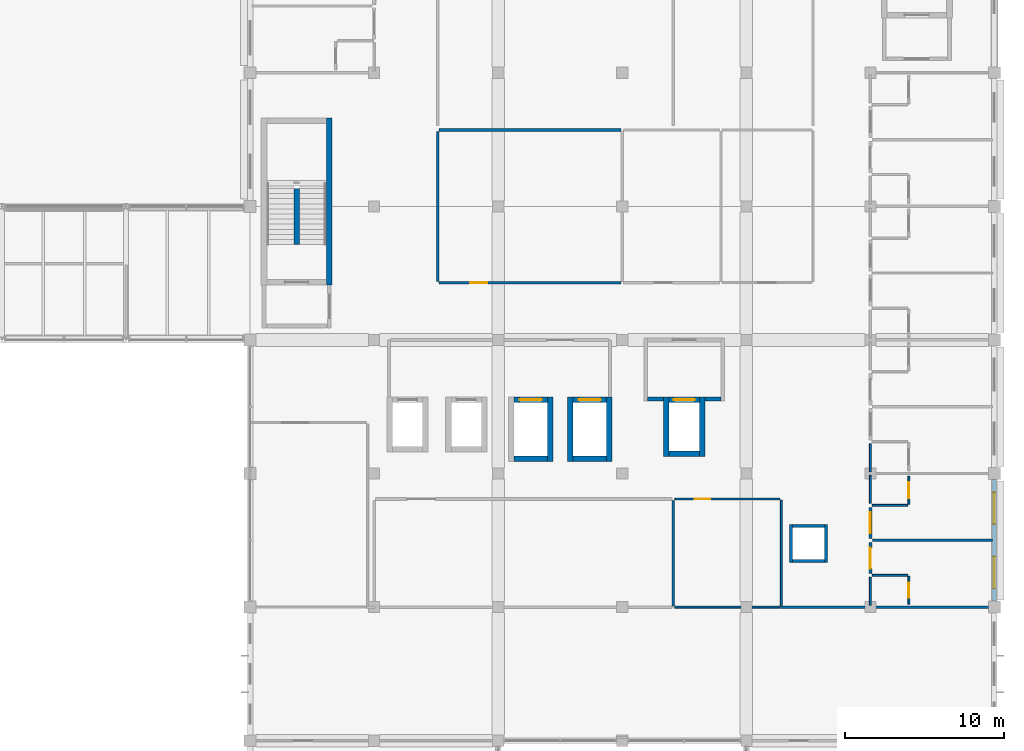
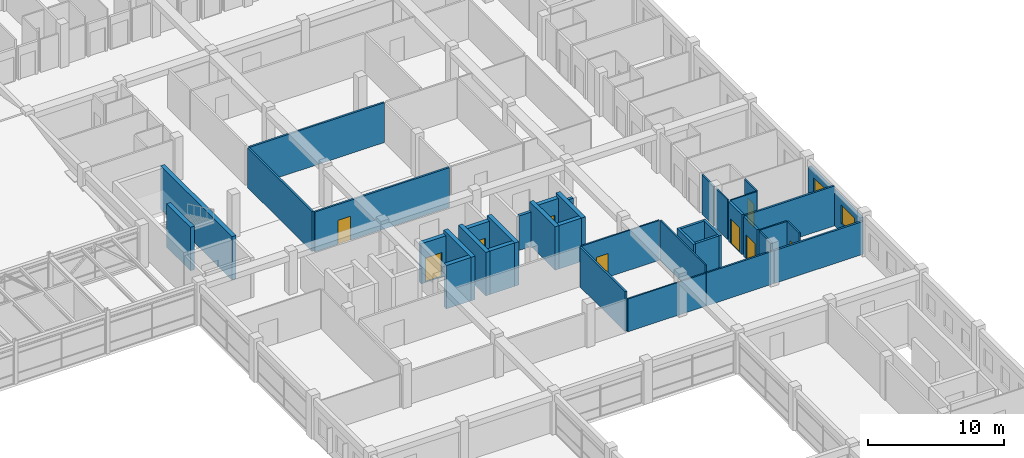
# One storey, part 54 of 72: 39 walls, 9 doors, 2 windows, 11 openings.
"""IFC4 building model written with IfcOpenShell, lengths in metres."""

from ifc_helpers import new_model, si_unit, direction, frame, frame_2d, origin, place, context, subcontext, project, spatial, rectangle, extrude, material, layer, layer_set, type_object, element, fill, save


model = new_model("IFC4")

# Units and contexts
model_context = context("Model", 3, precision=1e-05, world=origin(), true_north=direction((0.0, 1.0)))
body_context = subcontext(model_context, "Body", "Model", "MODEL_VIEW")
ifc_project = project(units=[si_unit("LENGTHUNIT", "METRE"), si_unit("AREAUNIT", "SQUARE_METRE"), si_unit("VOLUMEUNIT", "CUBIC_METRE"), si_unit("PLANEANGLEUNIT", "RADIAN"), si_unit("MASSUNIT", "GRAM", prefix="KILO"), si_unit("THERMODYNAMICTEMPERATUREUNIT", "KELVIN"), si_unit("POWERUNIT", "WATT")], contexts=[model_context])

# Site, building, storey
site_placement = place(None, origin())
site = spatial("IfcSite", under=ifc_project, at=site_placement, CompositionType="ELEMENT")
building_placement = place(site_placement, origin())
building = spatial("IfcBuilding", under=site, at=building_placement, Name="Srebrne Nadtorze General Hospital", CompositionType="ELEMENT")
storey_placement = place(building_placement, frame((0.0, 0.0, 22.199951171875)))
storey = spatial("IfcBuildingStorey", under=building, at=storey_placement, Name="L05", CompositionType="ELEMENT", Elevation=22.199951171875)

# Walls
ifc_material_1 = material(Name="Gypsum Healthcare Partition")
ifc_layer_1 = layer(ifc_material_1, 0.139892578125)
ifc_layer_set_1 = layer_set([ifc_layer_1], Name="Gypsum Healthcare Partition")
wall_type_1 = type_object("IfcWallType", Name="Clinical partition 140", PredefinedType="PARTITIONING", material=ifc_layer_set_1)
wall_1_placement = place(storey_placement, frame((134.7548828125, 33.60009765625, 0.0), z_axis=(0.0, 0.0, 1.0), x_axis=(1.0, 0.0, 0.0)))
element("IfcWall", 1, at=wall_1_placement, inside=storey, type_object=wall_type_1, Name="Outpatient Gastroenterology Procedure Unit wall WL-INT-L05-2173", PredefinedType="PARTITIONING", context=body_context, shape_type="SweptSolid", body=[
    extrude(rectangle(XDim=5.72509765625, YDim=0.139892578125, at=frame_2d((2.862548828125, 0.0))), origin(), (0.0, 0.0, 1.0), 2.949951171875),
])
ifc_material_2 = material(Name="Gypsum Healthcare Partition")
ifc_layer_2 = layer(ifc_material_2, 0.159912109375)
ifc_layer_set_2 = layer_set([ifc_layer_2], Name="Gypsum Healthcare Partition")
wall_type_2 = type_object("IfcWallType", Name="Clinical partition 160", PredefinedType="PARTITIONING", material=ifc_layer_set_2)
wall_2_placement = place(storey_placement, frame((140.52001953125, 33.60009765625, 0.0), z_axis=(0.0, 0.0, 1.0), x_axis=(1.0, 0.0, 0.0)))
element("IfcWall", 2, at=wall_2_placement, inside=storey, type_object=wall_type_2, Name="Ward inter-room partition WL-INT-L05-2054", PredefinedType="PARTITIONING", context=body_context, shape_type="SweptSolid", body=[
    extrude(rectangle(XDim=7.56005859375, YDim=0.159912109375, at=frame_2d((3.780029296875, 0.0))), origin(), (0.0, 0.0, 1.0), 2.949951171875),
])
wall_3_placement = place(storey_placement, frame((140.52001953125, 37.800048828125, 0.0), z_axis=(0.0, 0.0, 1.0), x_axis=(1.0, 0.0, 0.0)))
element("IfcWall", 3, at=wall_3_placement, inside=storey, type_object=wall_type_2, Name="Ward inter-room partition WL-INT-L05-2055", PredefinedType="PARTITIONING", context=body_context, shape_type="SweptSolid", body=[
    extrude(rectangle(XDim=7.56005859375, YDim=0.159912109375, at=frame_2d((3.780029296875, 0.0))), origin(), (0.0, 0.0, 1.0), 3.580078125),
])

# Wall, opening, door
wall_4_placement = place(storey_placement, frame((113.284912109375, 54.0, 0.0), z_axis=(0.0, 0.0, 1.0), x_axis=(1.0, 0.0, 0.0)))
wall_4 = element("IfcWall", 4, at=wall_4_placement, inside=storey, type_object=wall_type_2, Name="Nursing Station wall WL-INT-L05-2127", PredefinedType="PARTITIONING", context=body_context, shape_type="SweptSolid", body=[
    extrude(rectangle(XDim=11.43017578125, YDim=0.159912109375, at=frame_2d((5.715087890625, 0.0))), origin(), (0.0, 0.0, 1.0), 3.580078125),
])
opening_1_placement = place(wall_4_placement, frame((1.953369140625, 0.0, 0.0)))
opening_1 = element("IfcOpeningElement", 5, at=opening_1_placement, cuts=wall_4, Name="Opening D-L05-0453", PredefinedType="OPENING", context=body_context, shape_type="SweptSolid", body=[
    extrude(rectangle(XDim=1.080078125, YDim=2.14990234375, at=frame_2d((0.5400390625, 1.074951171875))), frame((0.0, 0.091796875, 0.0), z_axis=(0.0, -1.0, 0.0), x_axis=(1.0, 0.0, 0.0)), (0.0, 0.0, 1.0), 0.183837890625),
])
ifc_material_3 = material(Name="Anodised Aluminium", Category="aluminium")
door_type_1 = type_object("IfcDoorType", Name="Single leaf door 1080x2150", OperationType="NOTDEFINED", PredefinedType="DOOR", material=ifc_material_3)
door_1_placement = place(opening_1_placement, origin())
door_1 = element("IfcDoor", 6, at=door_1_placement, inside=storey, type_object=door_type_1, Name="Nursing Station door D-L05-0453", OperationType="SINGLE_SWING_LEFT", OverallHeight=2.14990234375, OverallWidth=1.080078125, PredefinedType="DOOR", context=body_context, shape_type="SweptSolid", body=[
    extrude(rectangle(XDim=1.080078125, YDim=2.14990234375, at=frame_2d((0.5400390625, 1.074951171875))), frame((0.0, 0.02490234375, 0.0), z_axis=(0.0, -1.0, 0.0), x_axis=(1.0, 0.0, 0.0)), (0.0, 0.0, 1.0), 0.050048828125),
])
fill(opening_1, door_1)

# Walls
wall_5_placement = place(storey_placement, frame((113.284912109375, 63.60009765625, 0.0), z_axis=(0.0, 0.0, 1.0), x_axis=(1.0, 0.0, 0.0)))
element("IfcWall", 7, at=wall_5_placement, inside=storey, type_object=wall_type_2, Name="Nursing Station wall WL-INT-L05-2128", PredefinedType="PARTITIONING", context=body_context, shape_type="SweptSolid", body=[
    extrude(rectangle(XDim=11.43017578125, YDim=0.159912109375, at=frame_2d((5.715087890625, 0.0))), origin(), (0.0, 0.0, 1.0), 3.580078125),
])
wall_6_placement = place(storey_placement, frame((113.199951171875, 54.0849609375, 0.0), z_axis=(0.0, 0.0, 1.0), x_axis=(0.0, 1.0, 0.0)))
element("IfcWall", 8, at=wall_6_placement, inside=storey, type_object=wall_type_2, Name="Nursing Station wall WL-INT-L05-2129", PredefinedType="PARTITIONING", context=body_context, shape_type="SweptSolid", body=[
    extrude(rectangle(XDim=9.429931640625, YDim=0.159912109375, at=frame_2d((4.71484375, 0.0))), origin(), (0.0, 0.0, 1.0), 3.580078125),
])
wall_7_placement = place(storey_placement, frame((128.0, 33.68505859375, 0.0), z_axis=(0.0, 0.0, 1.0), x_axis=(0.0, 1.0, 0.0)))
element("IfcWall", 9, at=wall_7_placement, inside=storey, type_object=wall_type_2, Name="Inpatient Family Consultation Room wall WL-INT-L05-2149", PredefinedType="PARTITIONING", context=body_context, shape_type="SweptSolid", body=[
    extrude(rectangle(XDim=6.6298828125, YDim=0.159912109375, at=frame_2d((3.31494140625, 0.0))), origin(), (0.0, 0.0, 1.0), 3.580078125),
])
ifc_material_4 = material(Name="Gypsum Healthcare Partition")
ifc_layer_3 = layer(ifc_material_4, 0.199951171875)
ifc_layer_set_3 = layer_set([ifc_layer_3], Name="Gypsum Healthcare Partition")
wall_type_3 = type_object("IfcWallType", Name="Compartment wall 200", PredefinedType="STANDARD", material=ifc_layer_set_3)
for number, where, z_axis, x_axis, name in (
    (10, (135.39990234375, 36.39990234375, 0.0), (0.0, 0.0, 1.0), (0.0, 1.0, 0.0), "MEP riser wall WL-INT-L05-1113"),
    (11, (137.60009765625, 36.39990234375, 0.0), (0.0, 0.0, 1.0), (0.0, 1.0, 0.0), "MEP riser wall WL-INT-L05-1114"),
):
    element("IfcWall", number, at=place(storey_placement, frame(where, z_axis=z_axis, x_axis=x_axis)), inside=storey, type_object=wall_type_3, Name=name, PredefinedType="STANDARD", context=body_context, shape_type="SweptSolid", body=[
        extrude(rectangle(XDim=2.400146484375, YDim=0.199951171875, at=frame_2d((1.2001953125, 0.0))), origin(), (0.0, 0.0, 1.0), 3.60009765625),
    ])
for number, where, z_axis, x_axis, name in (
    (12, (135.5, 36.5, 0.0), (0.0, 0.0, 1.0), (1.0, 0.0, 0.0), "MEP riser wall WL-INT-L05-1115"),
    (13, (135.5, 38.699951171875, 0.0), (0.0, 0.0, 1.0), (1.0, 0.0, 0.0), "MEP riser wall WL-INT-L05-1116"),
):
    element("IfcWall", number, at=place(storey_placement, frame(where, z_axis=z_axis, x_axis=x_axis)), inside=storey, type_object=wall_type_3, Name=name, PredefinedType="STANDARD", context=body_context, shape_type="SweptSolid", body=[
        extrude(rectangle(XDim=2.0, YDim=0.199951171875, at=frame_2d((1.0, 0.0))), origin(), (0.0, 0.0, 1.0), 3.60009765625),
    ])

# Wall, opening, door
wall_8_placement = place(storey_placement, frame((140.39990234375, 35.719970703125, 0.0), z_axis=(0.0, 0.0, 1.0), x_axis=(0.0, 1.0, 0.0)))
wall_8 = element("IfcWall", 14, at=wall_8_placement, inside=storey, type_object=wall_type_3, Name="Ward corridor wall WL-INT-L05-2056", PredefinedType="STANDARD", context=body_context, shape_type="SweptSolid", body=[
    extrude(rectangle(XDim=1.9599609375, YDim=0.199951171875, at=frame_2d((0.97998046875, 0.0))), origin(), (0.0, 0.0, 1.0), 3.580078125),
])
opening_2_placement = place(wall_8_placement, frame((0.304931640625, 0.0, 0.0)))
opening_2 = element("IfcOpeningElement", 15, at=opening_2_placement, cuts=wall_8, Name="Opening D-L05-0426", PredefinedType="OPENING", context=body_context, shape_type="SweptSolid", body=[
    extrude(rectangle(XDim=1.300048828125, YDim=2.14990234375, at=frame_2d((0.64990234375, 1.074951171875))), frame((0.0, 0.11181640625, 0.0), z_axis=(0.0, -1.0, 0.0), x_axis=(1.0, 0.0, 0.0)), (0.0, 0.0, 1.0), 0.223876953125),
])
ifc_material_5 = material(Name="Anodised Aluminium", Category="aluminium")
door_type_2 = type_object("IfcDoorType", Name="Single leaf door 1300x2150", OperationType="NOTDEFINED", PredefinedType="DOOR", material=ifc_material_5)
door_2_placement = place(opening_2_placement, frame((1.300048828125, 0.0, 0.0), z_axis=(0.0, 0.0, 1.0), x_axis=(-1.0, 0.0, 0.0)))
door_2 = element("IfcDoor", 16, at=door_2_placement, inside=storey, type_object=door_type_2, Name="Ward patient room door D-L05-0426", OperationType="SINGLE_SWING_RIGHT", OverallHeight=2.14990234375, OverallWidth=1.300048828125, PredefinedType="DOOR", context=body_context, shape_type="SweptSolid", body=[
    extrude(rectangle(XDim=1.300048828125, YDim=2.14990234375, at=frame_2d((0.64990234375, 1.074951171875))), frame((0.0, 0.02490234375, 0.0), z_axis=(0.0, -1.0, 0.0), x_axis=(1.0, 0.0, 0.0)), (0.0, 0.0, 1.0), 0.050048828125),
])
fill(opening_2, door_2)

wall_9_placement = place(storey_placement, frame((140.39990234375, 37.919921875, 0.0), z_axis=(0.0, 0.0, 1.0), x_axis=(0.0, 1.0, 0.0)))
wall_9 = element("IfcWall", 17, at=wall_9_placement, inside=storey, type_object=wall_type_3, Name="Ward corridor wall WL-INT-L05-2061", PredefinedType="STANDARD", context=body_context, shape_type="SweptSolid", body=[
    extrude(rectangle(XDim=1.9599609375, YDim=0.199951171875, at=frame_2d((0.97998046875, 0.0))), origin(), (0.0, 0.0, 1.0), 3.580078125),
])
opening_3_placement = place(wall_9_placement, frame((0.340087890625, 0.0, 0.0)))
opening_3 = element("IfcOpeningElement", 18, at=opening_3_placement, cuts=wall_9, Name="Opening D-L05-0428", PredefinedType="OPENING", context=body_context, shape_type="SweptSolid", body=[
    extrude(rectangle(XDim=1.320068359375, YDim=2.199951171875, at=frame_2d((0.66015625, 1.10009765625))), frame((0.0, 0.11181640625, 0.0), z_axis=(0.0, -1.0, 0.0), x_axis=(1.0, 0.0, 0.0)), (0.0, 0.0, 1.0), 0.223876953125),
])
ifc_material_6 = material(Name="Anodised Aluminium", Category="aluminium")
door_type_3 = type_object("IfcDoorType", Name="Single leaf door 1320x2200", OperationType="NOTDEFINED", PredefinedType="DOOR", material=ifc_material_6)
door_3_placement = place(opening_3_placement, frame((1.320068359375, 0.0, 0.0), z_axis=(0.0, 0.0, 1.0), x_axis=(-1.0, 0.0, 0.0)))
door_3 = element("IfcDoor", 19, at=door_3_placement, inside=storey, type_object=door_type_3, Name="Ward patient room door D-L05-0428", OperationType="SINGLE_SWING_RIGHT", OverallHeight=2.199951171875, OverallWidth=1.320068359375, PredefinedType="DOOR", context=body_context, shape_type="SweptSolid", body=[
    extrude(rectangle(XDim=1.320068359375, YDim=2.199951171875, at=frame_2d((0.66015625, 1.10009765625))), frame((0.0, 0.02490234375, 0.0), z_axis=(0.0, -1.0, 0.0), x_axis=(1.0, 0.0, 0.0)), (0.0, 0.0, 1.0), 0.050048828125),
])
fill(opening_3, door_3)

# Walls
ifc_material_7 = material(Name="Gypsum Healthcare Partition")
ifc_layer_4 = layer(ifc_material_7, 0.239990234375)
ifc_layer_set_4 = layer_set([ifc_layer_4], Name="Gypsum Healthcare Partition")
wall_type_4 = type_object("IfcWallType", Name="Corridor fire wall 240", PredefinedType="STANDARD", material=ifc_layer_set_4)
for number, where, z_axis, x_axis, name in (
    (20, (126.39990234375, 46.68994140625, 0.0), (0.0, 0.0, 1.0), (1.0, 0.0, 0.0), "FF lift lobby return wall WL-INT-L05-1103"),
    (21, (130.0, 46.68994140625, 0.0), (0.0, 0.0, 1.0), (1.0, 0.0, 0.0), "FF lift lobby return wall WL-INT-L05-1104"),
):
    element("IfcWall", number, at=place(storey_placement, frame(where, z_axis=z_axis, x_axis=x_axis)), inside=storey, type_object=wall_type_4, Name=name, PredefinedType="STANDARD", context=body_context, shape_type="SweptSolid", body=[
        extrude(rectangle(XDim=1.0, YDim=0.239990234375, at=frame_2d((0.5, 0.0))), origin(), (0.0, 0.0, 1.0), 3.10009765625),
    ])
ifc_material_8 = material(Name="Gypsum Healthcare Partition")
ifc_layer_5 = layer(ifc_material_8, 0.1201171875)
ifc_layer_set_5 = layer_set([ifc_layer_5], Name="Gypsum Healthcare Partition")
wall_type_5 = type_object("IfcWallType", Name="En-suite partition 120", PredefinedType="PARTITIONING", material=ifc_layer_set_5)
wall_10_placement = place(storey_placement, frame((140.39990234375, 33.719970703125, 0.0), z_axis=(0.0, 0.0, 1.0), x_axis=(0.0, 1.0, 0.0)))
element("IfcWall", 22, at=wall_10_placement, inside=storey, type_object=wall_type_5, Name="En-suite corridor wall WL-INT-L05-2057", PredefinedType="PARTITIONING", context=body_context, shape_type="SweptSolid", body=[
    extrude(rectangle(XDim=1.760009765625, YDim=0.1201171875, at=frame_2d((0.8798828125, 0.0))), origin(), (0.0, 0.0, 1.0), 3.580078125),
])
wall_11_placement = place(storey_placement, frame((140.52001953125, 35.60009765625, 0.0), z_axis=(0.0, 0.0, 1.0), x_axis=(1.0, 0.0, 0.0)))
element("IfcWall", 23, at=wall_11_placement, inside=storey, type_object=wall_type_5, Name="En-suite wet wall WL-INT-L05-2058", PredefinedType="PARTITIONING", context=body_context, shape_type="SweptSolid", body=[
    extrude(rectangle(XDim=2.239990234375, YDim=0.1201171875, at=frame_2d((1.1201171875, 0.0))), origin(), (0.0, 0.0, 1.0), 3.580078125),
])

# Wall, opening, door
wall_12_placement = place(storey_placement, frame((142.820068359375, 33.780029296875, 0.0), z_axis=(0.0, 0.0, 1.0), x_axis=(0.0, 1.0, 0.0)))
wall_12 = element("IfcWall", 24, at=wall_12_placement, inside=storey, type_object=wall_type_5, Name="En-suite wet wall WL-INT-L05-2059", PredefinedType="PARTITIONING", context=body_context, shape_type="SweptSolid", body=[
    extrude(rectangle(XDim=1.760009765625, YDim=0.1201171875, at=frame_2d((0.8798828125, 0.0))), origin(), (0.0, 0.0, 1.0), 3.580078125),
])
opening_4_placement = place(wall_12_placement, frame((0.405029296875, 0.0, 0.0)))
opening_4 = element("IfcOpeningElement", 25, at=opening_4_placement, cuts=wall_12, Name="Opening D-L05-0427", PredefinedType="OPENING", context=body_context, shape_type="SweptSolid", body=[
    extrude(rectangle(XDim=0.949951171875, YDim=2.10009765625, at=frame_2d((0.47509765625, 1.050048828125))), frame((0.0, 0.072021484375, 0.0), z_axis=(0.0, -1.0, 0.0), x_axis=(1.0, 0.0, 0.0)), (0.0, 0.0, 1.0), 0.14404296875),
])
ifc_material_9 = material(Name="Anodised Aluminium", Category="aluminium")
door_type_4 = type_object("IfcDoorType", Name="Single leaf door 950x2100", OperationType="NOTDEFINED", PredefinedType="DOOR", material=ifc_material_9)
door_4_placement = place(opening_4_placement, origin())
door_4 = element("IfcDoor", 26, at=door_4_placement, inside=storey, type_object=door_type_4, Name="En-suite bathroom door D-L05-0427", OperationType="SINGLE_SWING_LEFT", OverallHeight=2.10009765625, OverallWidth=0.949951171875, PredefinedType="DOOR", context=body_context, shape_type="SweptSolid", body=[
    extrude(rectangle(XDim=0.949951171875, YDim=2.10009765625, at=frame_2d((0.47509765625, 1.050048828125))), frame((0.0, 0.02490234375, 0.0), z_axis=(0.0, -1.0, 0.0), x_axis=(1.0, 0.0, 0.0)), (0.0, 0.0, 1.0), 0.050048828125),
])
fill(opening_4, door_4)

# Walls
wall_13_placement = place(storey_placement, frame((140.39990234375, 40.1201171875, 0.0), z_axis=(0.0, 0.0, 1.0), x_axis=(0.0, 1.0, 0.0)))
element("IfcWall", 27, at=wall_13_placement, inside=storey, type_object=wall_type_5, Name="En-suite corridor wall WL-INT-L05-2062", PredefinedType="PARTITIONING", context=body_context, shape_type="SweptSolid", body=[
    extrude(rectangle(XDim=1.759765625, YDim=0.1201171875, at=frame_2d((0.8798828125, 0.0))), origin(), (0.0, 0.0, 1.0), 3.580078125),
])
wall_14_placement = place(storey_placement, frame((140.52001953125, 40.0, 0.0), z_axis=(0.0, 0.0, 1.0), x_axis=(1.0, 0.0, 0.0)))
element("IfcWall", 28, at=wall_14_placement, inside=storey, type_object=wall_type_5, Name="En-suite wet wall WL-INT-L05-2063", PredefinedType="PARTITIONING", context=body_context, shape_type="SweptSolid", body=[
    extrude(rectangle(XDim=2.239990234375, YDim=0.1201171875, at=frame_2d((1.1201171875, 0.0))), origin(), (0.0, 0.0, 1.0), 3.580078125),
])

# Wall, opening, door
wall_15_placement = place(storey_placement, frame((142.820068359375, 40.06005859375, 0.0), z_axis=(0.0, 0.0, 1.0), x_axis=(0.0, 1.0, 0.0)))
wall_15 = element("IfcWall", 29, at=wall_15_placement, inside=storey, type_object=wall_type_5, Name="En-suite wet wall WL-INT-L05-2064", PredefinedType="PARTITIONING", context=body_context, shape_type="SweptSolid", body=[
    extrude(rectangle(XDim=1.760009765625, YDim=0.1201171875, at=frame_2d((0.8798828125, 0.0))), origin(), (0.0, 0.0, 1.0), 3.580078125),
])
opening_5_placement = place(wall_15_placement, frame((0.3798828125, 0.0, 0.0)))
opening_5 = element("IfcOpeningElement", 30, at=opening_5_placement, cuts=wall_15, Name="Opening D-L05-0429", PredefinedType="OPENING", context=body_context, shape_type="SweptSolid", body=[
    extrude(rectangle(XDim=1.0, YDim=2.10009765625, at=frame_2d((0.5, 1.050048828125))), frame((0.0, 0.072021484375, 0.0), z_axis=(0.0, -1.0, 0.0), x_axis=(1.0, 0.0, 0.0)), (0.0, 0.0, 1.0), 0.14404296875),
])
ifc_material_10 = material(Name="Anodised Aluminium", Category="aluminium")
door_type_5 = type_object("IfcDoorType", Name="Single leaf door 1000x2100", OperationType="NOTDEFINED", PredefinedType="DOOR", material=ifc_material_10)
door_5_placement = place(opening_5_placement, origin())
door_5 = element("IfcDoor", 31, at=door_5_placement, inside=storey, type_object=door_type_5, Name="En-suite bathroom door D-L05-0429", OperationType="SINGLE_SWING_LEFT", OverallHeight=2.10009765625, OverallWidth=1.0, PredefinedType="DOOR", context=body_context, shape_type="SweptSolid", body=[
    extrude(rectangle(XDim=1.0, YDim=2.10009765625, at=frame_2d((0.5, 1.050048828125))), frame((0.0, 0.02490234375, 0.0), z_axis=(0.0, -1.0, 0.0), x_axis=(1.0, 0.0, 0.0)), (0.0, 0.0, 1.0), 0.050048828125),
])
fill(opening_5, door_5)

# Wall
wall_16_placement = place(storey_placement, frame((140.39990234375, 42.1201171875, 0.0), z_axis=(0.0, 0.0, 1.0), x_axis=(0.0, 1.0, 0.0)))
element("IfcWall", 32, at=wall_16_placement, inside=storey, type_object=wall_type_5, Name="En-suite corridor wall WL-INT-L05-2067", PredefinedType="PARTITIONING", context=body_context, shape_type="SweptSolid", body=[
    extrude(rectangle(XDim=1.759765625, YDim=0.1201171875, at=frame_2d((0.8798828125, 0.0))), origin(), (0.0, 0.0, 1.0), 3.580078125),
])

# Wall, opening, door
wall_17_placement = place(storey_placement, frame((128.0849609375, 40.39990234375, 0.0), z_axis=(0.0, 0.0, 1.0), x_axis=(1.0, 0.0, 0.0)))
wall_17 = element("IfcWall", 33, at=wall_17_placement, inside=storey, type_object=wall_type_5, Name="Accessible WC wall WL-INT-L05-2153", PredefinedType="PARTITIONING", context=body_context, shape_type="SweptSolid", body=[
    extrude(rectangle(XDim=6.630126953125, YDim=0.1201171875, at=frame_2d((3.31494140625, 0.0))), origin(), (0.0, 0.0, 1.0), 3.580078125),
])
opening_6_placement = place(wall_17_placement, frame((1.283935546875, 0.0, 0.0)))
opening_6 = element("IfcOpeningElement", 34, at=opening_6_placement, cuts=wall_17, Name="Opening D-L05-0461", PredefinedType="OPENING", context=body_context, shape_type="SweptSolid", body=[
    extrude(rectangle(XDim=0.9599609375, YDim=2.1201171875, at=frame_2d((0.47998046875, 1.06005859375))), frame((0.0, 0.072021484375, 0.0), z_axis=(0.0, -1.0, 0.0), x_axis=(1.0, 0.0, 0.0)), (0.0, 0.0, 1.0), 0.14404296875),
])
ifc_material_11 = material(Name="Anodised Aluminium", Category="aluminium")
door_type_6 = type_object("IfcDoorType", Name="Single leaf door 960x2120", OperationType="NOTDEFINED", PredefinedType="DOOR", material=ifc_material_11)
door_6_placement = place(opening_6_placement, frame((0.9599609375, 0.0, 0.0), z_axis=(0.0, 0.0, 1.0), x_axis=(-1.0, 0.0, 0.0)))
door_6 = element("IfcDoor", 35, at=door_6_placement, inside=storey, type_object=door_type_6, Name="Accessible WC door D-L05-0461", OperationType="SINGLE_SWING_RIGHT", OverallHeight=2.1201171875, OverallWidth=0.9599609375, PredefinedType="DOOR", context=body_context, shape_type="SweptSolid", body=[
    extrude(rectangle(XDim=0.9599609375, YDim=2.1201171875, at=frame_2d((0.47998046875, 1.06005859375))), frame((0.0, 0.02490234375, 0.0), z_axis=(0.0, -1.0, 0.0), x_axis=(1.0, 0.0, 0.0)), (0.0, 0.0, 1.0), 0.050048828125),
])
fill(opening_6, door_6)

# Walls
wall_18_placement = place(storey_placement, frame((128.0849609375, 33.60009765625, 0.0), z_axis=(0.0, 0.0, 1.0), x_axis=(1.0, 0.0, 0.0)))
element("IfcWall", 36, at=wall_18_placement, inside=storey, type_object=wall_type_5, Name="Accessible WC wall WL-INT-L05-2154", PredefinedType="PARTITIONING", context=body_context, shape_type="SweptSolid", body=[
    extrude(rectangle(XDim=6.630126953125, YDim=0.1201171875, at=frame_2d((3.31494140625, 0.0))), origin(), (0.0, 0.0, 1.0), 2.949951171875),
])
wall_19_placement = place(storey_placement, frame((134.800048828125, 33.68505859375, 0.0), z_axis=(0.0, 0.0, 1.0), x_axis=(0.0, 1.0, 0.0)))
element("IfcWall", 37, at=wall_19_placement, inside=storey, type_object=wall_type_5, Name="Accessible WC wall WL-INT-L05-2155", PredefinedType="PARTITIONING", context=body_context, shape_type="SweptSolid", body=[
    extrude(rectangle(XDim=6.6298828125, YDim=0.1201171875, at=frame_2d((3.31494140625, 0.0))), origin(), (0.0, 0.0, 1.0), 3.580078125),
])
ifc_material_12 = material(Name="Concrete C40/50", Category="concrete")
ifc_layer_6 = layer(ifc_material_12, 0.35009765625)
ifc_layer_set_6 = layer_set([ifc_layer_6], Name="Concrete C40/50")
wall_type_6 = type_object("IfcWallType", Name="Shear core wall 350", PredefinedType="SHEAR", material=ifc_layer_set_6)
wall_20_placement = place(storey_placement, frame((106.375, 53.85009765625, 0.0), z_axis=(0.0, 0.0, 1.0), x_axis=(0.0, 1.0, 0.0)))
element("IfcWall", 38, at=wall_20_placement, inside=storey, type_object=wall_type_6, Name="Stair core wall ST-03 WL-INT-L05-0354", PredefinedType="SHEAR", context=body_context, shape_type="SweptSolid", body=[
    extrude(rectangle(XDim=10.5, YDim=0.35009765625, at=frame_2d((5.25, 0.0))), origin(), (0.0, 0.0, 1.0), 3.900146484375),
])
wall_21_placement = place(storey_placement, frame((104.324951171875, 56.39990234375, 0.0), z_axis=(0.0, 0.0, 1.0), x_axis=(0.0, 1.0, 0.0)))
element("IfcWall", 39, at=wall_21_placement, inside=storey, type_object=wall_type_6, Name="Stair spine wall ST-03 WL-INT-L05-0360", PredefinedType="SHEAR", context=body_context, shape_type="SweptSolid", body=[
    extrude(rectangle(XDim=3.52001953125, YDim=0.35009765625, at=frame_2d((1.760009765625, 0.0))), origin(), (0.0, 0.0, 1.0), 3.900146484375),
])
wall_22_placement = place(storey_placement, frame((120.27490234375, 42.760009765625, 0.0), z_axis=(0.0, 0.0, 1.0), x_axis=(0.0, 1.0, 0.0)))
element("IfcWall", 40, at=wall_22_placement, inside=storey, type_object=wall_type_6, Name="Lift shaft wall LS-03 WL-INT-L05-0787", PredefinedType="SHEAR", context=body_context, shape_type="SweptSolid", body=[
    extrude(rectangle(XDim=4.050048828125, YDim=0.35009765625, at=frame_2d((2.02490234375, 0.0))), origin(), (0.0, 0.0, 1.0), 3.900146484375),
])
wall_23_placement = place(storey_placement, frame((118.0, 42.93505859375, 0.0), z_axis=(0.0, 0.0, 1.0), x_axis=(1.0, 0.0, 0.0)))
element("IfcWall", 41, at=wall_23_placement, inside=storey, type_object=wall_type_6, Name="Lift shaft back wall LS-03 WL-INT-L05-0788", PredefinedType="SHEAR", context=body_context, shape_type="SweptSolid", body=[
    extrude(rectangle(XDim=2.10009765625, YDim=0.35009765625, at=frame_2d((1.050048828125, 0.0))), origin(), (0.0, 0.0, 1.0), 3.900146484375),
])

# Wall, opening, door
wall_24_placement = place(storey_placement, frame((118.0, 46.635009765625, 0.0), z_axis=(0.0, 0.0, 1.0), x_axis=(1.0, 0.0, 0.0)))
wall_24 = element("IfcWall", 42, at=wall_24_placement, inside=storey, type_object=wall_type_6, Name="Lift shaft front wall LS-03 WL-INT-L05-0789", PredefinedType="SHEAR", context=body_context, shape_type="SweptSolid", body=[
    extrude(rectangle(XDim=2.10009765625, YDim=0.35009765625, at=frame_2d((1.050048828125, 0.0))), origin(), (0.0, 0.0, 1.0), 3.60009765625),
])
opening_7_placement = place(wall_24_placement, frame((0.35009765625, 0.0, 0.0)))
opening_7 = element("IfcOpeningElement", 43, at=opening_7_placement, cuts=wall_24, Name="Opening LD-L05-081", PredefinedType="OPENING", context=body_context, shape_type="SweptSolid", body=[
    extrude(rectangle(XDim=1.39990234375, YDim=2.199951171875, at=frame_2d((0.699951171875, 1.10009765625))), frame((0.0, 0.18701171875, 0.0), z_axis=(0.0, -1.0, 0.0), x_axis=(1.0, 0.0, 0.0)), (0.0, 0.0, 1.0), 0.3740234375),
])
ifc_material_13 = material(Name="Anodised Aluminium", Category="aluminium")
door_type_7 = type_object("IfcDoorType", Name="Sliding lift door 1400x2200", OperationType="SLIDING_TO_LEFT", PredefinedType="DOOR", material=ifc_material_13)
door_7_placement = place(opening_7_placement, origin())
door_7 = element("IfcDoor", 44, at=door_7_placement, inside=storey, type_object=door_type_7, Name="Lift Landing Door LD-L05-081", OperationType="SLIDING_TO_LEFT", OverallHeight=2.199951171875, OverallWidth=1.39990234375, PredefinedType="DOOR", context=body_context, shape_type="SweptSolid", body=[
    extrude(rectangle(XDim=1.39990234375, YDim=2.199951171875, at=frame_2d((0.699951171875, 1.10009765625))), frame((0.0, 0.02490234375, 0.0), z_axis=(0.0, -1.0, 0.0), x_axis=(1.0, 0.0, 0.0)), (0.0, 0.0, 1.0), 0.050048828125),
])
fill(opening_7, door_7)

# Walls
for number, where, z_axis, x_axis, name in (
    (45, (121.52490234375, 42.760009765625, 0.0), (0.0, 0.0, 1.0), (0.0, 1.0, 0.0), "Lift shaft wall LS-04 WL-INT-L05-0822"),
    (46, (123.97509765625, 42.760009765625, 0.0), (0.0, 0.0, 1.0), (0.0, 1.0, 0.0), "Lift shaft wall LS-04 WL-INT-L05-0823"),
):
    element("IfcWall", number, at=place(storey_placement, frame(where, z_axis=z_axis, x_axis=x_axis)), inside=storey, type_object=wall_type_6, Name=name, PredefinedType="SHEAR", context=body_context, shape_type="SweptSolid", body=[
        extrude(rectangle(XDim=4.050048828125, YDim=0.35009765625, at=frame_2d((2.02490234375, 0.0))), origin(), (0.0, 0.0, 1.0), 3.900146484375),
    ])
wall_25_placement = place(storey_placement, frame((121.699951171875, 42.93505859375, 0.0), z_axis=(0.0, 0.0, 1.0), x_axis=(1.0, 0.0, 0.0)))
element("IfcWall", 47, at=wall_25_placement, inside=storey, type_object=wall_type_6, Name="Lift shaft back wall LS-04 WL-INT-L05-0824", PredefinedType="SHEAR", context=body_context, shape_type="SweptSolid", body=[
    extrude(rectangle(XDim=2.10009765625, YDim=0.35009765625, at=frame_2d((1.050048828125, 0.0))), origin(), (0.0, 0.0, 1.0), 3.900146484375),
])

# Wall, opening, door
wall_26_placement = place(storey_placement, frame((121.699951171875, 46.635009765625, 0.0), z_axis=(0.0, 0.0, 1.0), x_axis=(1.0, 0.0, 0.0)))
wall_26 = element("IfcWall", 48, at=wall_26_placement, inside=storey, type_object=wall_type_6, Name="Lift shaft front wall LS-04 WL-INT-L05-0825", PredefinedType="SHEAR", context=body_context, shape_type="SweptSolid", body=[
    extrude(rectangle(XDim=2.10009765625, YDim=0.35009765625, at=frame_2d((1.050048828125, 0.0))), origin(), (0.0, 0.0, 1.0), 3.60009765625),
])
opening_8_placement = place(wall_26_placement, frame((0.35009765625, 0.0, 0.0)))
opening_8 = element("IfcOpeningElement", 49, at=opening_8_placement, cuts=wall_26, Name="Opening LD-L05-090", PredefinedType="OPENING", context=body_context, shape_type="SweptSolid", body=[
    extrude(rectangle(XDim=1.39990234375, YDim=2.199951171875, at=frame_2d((0.699951171875, 1.10009765625))), frame((0.0, 0.18701171875, 0.0), z_axis=(0.0, -1.0, 0.0), x_axis=(1.0, 0.0, 0.0)), (0.0, 0.0, 1.0), 0.3740234375),
])
door_8_placement = place(opening_8_placement, origin())
door_8 = element("IfcDoor", 50, at=door_8_placement, inside=storey, type_object=door_type_7, Name="Lift Landing Door LD-L05-090", OperationType="SLIDING_TO_LEFT", OverallHeight=2.199951171875, OverallWidth=1.39990234375, PredefinedType="DOOR", context=body_context, shape_type="SweptSolid", body=[
    extrude(rectangle(XDim=1.39990234375, YDim=2.199951171875, at=frame_2d((0.699951171875, 1.10009765625))), frame((0.0, 0.02490234375, 0.0), z_axis=(0.0, -1.0, 0.0), x_axis=(1.0, 0.0, 0.0)), (0.0, 0.0, 1.0), 0.050048828125),
])
fill(opening_8, door_8)

# Walls
for number, where, z_axis, x_axis, name in (
    (51, (127.574951171875, 43.06005859375, 0.0), (0.0, 0.0, 1.0), (0.0, 1.0, 0.0), "Lift shaft wall FL-03 WL-INT-L05-0858"),
    (52, (129.824951171875, 43.06005859375, 0.0), (0.0, 0.0, 1.0), (0.0, 1.0, 0.0), "Lift shaft wall FL-03 WL-INT-L05-0859"),
):
    element("IfcWall", number, at=place(storey_placement, frame(where, z_axis=z_axis, x_axis=x_axis)), inside=storey, type_object=wall_type_6, Name=name, PredefinedType="SHEAR", context=body_context, shape_type="SweptSolid", body=[
        extrude(rectangle(XDim=3.75, YDim=0.35009765625, at=frame_2d((1.875, 0.0))), origin(), (0.0, 0.0, 1.0), 3.900146484375),
    ])
wall_27_placement = place(storey_placement, frame((127.75, 43.235107421875, 0.0), z_axis=(0.0, 0.0, 1.0), x_axis=(1.0, 0.0, 0.0)))
element("IfcWall", 53, at=wall_27_placement, inside=storey, type_object=wall_type_6, Name="Lift shaft back wall FL-03 WL-INT-L05-0860", PredefinedType="SHEAR", context=body_context, shape_type="SweptSolid", body=[
    extrude(rectangle(XDim=1.89990234375, YDim=0.35009765625, at=frame_2d((0.949951171875, 0.0))), origin(), (0.0, 0.0, 1.0), 3.900146484375),
])

# Wall, opening, door
wall_28_placement = place(storey_placement, frame((127.75, 46.635009765625, 0.0), z_axis=(0.0, 0.0, 1.0), x_axis=(1.0, 0.0, 0.0)))
wall_28 = element("IfcWall", 54, at=wall_28_placement, inside=storey, type_object=wall_type_6, Name="Lift shaft front wall FL-03 WL-INT-L05-0861", PredefinedType="SHEAR", context=body_context, shape_type="SweptSolid", body=[
    extrude(rectangle(XDim=1.89990234375, YDim=0.35009765625, at=frame_2d((0.949951171875, 0.0))), origin(), (0.0, 0.0, 1.0), 3.60009765625),
])
opening_9_placement = place(wall_28_placement, frame((0.300048828125, 0.0, 0.0)))
opening_9 = element("IfcOpeningElement", 55, at=opening_9_placement, cuts=wall_28, Name="Opening LD-L05-099", PredefinedType="OPENING", context=body_context, shape_type="SweptSolid", body=[
    extrude(rectangle(XDim=1.300048828125, YDim=2.199951171875, at=frame_2d((0.64990234375, 1.10009765625))), frame((0.0, 0.18701171875, 0.0), z_axis=(0.0, -1.0, 0.0), x_axis=(1.0, 0.0, 0.0)), (0.0, 0.0, 1.0), 0.3740234375),
])
ifc_material_14 = material(Name="Anodised Aluminium", Category="aluminium")
door_type_8 = type_object("IfcDoorType", Name="Sliding lift door 1300x2200", OperationType="SLIDING_TO_LEFT", PredefinedType="DOOR", material=ifc_material_14)
door_9_placement = place(opening_9_placement, origin())
door_9 = element("IfcDoor", 56, at=door_9_placement, inside=storey, type_object=door_type_8, Name="Lift Landing Door LD-L05-099", OperationType="SLIDING_TO_LEFT", OverallHeight=2.199951171875, OverallWidth=1.300048828125, PredefinedType="DOOR", context=body_context, shape_type="SweptSolid", body=[
    extrude(rectangle(XDim=1.300048828125, YDim=2.199951171875, at=frame_2d((0.64990234375, 1.10009765625))), frame((0.0, 0.02490234375, 0.0), z_axis=(0.0, -1.0, 0.0), x_axis=(1.0, 0.0, 0.0)), (0.0, 0.0, 1.0), 0.050048828125),
])
fill(opening_9, door_9)

# Wall, openings, windows
ifc_material_15 = material(Name="Concrete C35/45 precast", Category="concrete")
ifc_layer_7 = layer(ifc_material_15, 0.280029296875)
ifc_layer_set_7 = layer_set([ifc_layer_7], Name="Concrete C35/45 precast")
wall_type_7 = type_object("IfcWallType", Name="Spandrel wall 280", PredefinedType="STANDARD", material=ifc_layer_set_7)
wall_29_placement = place(storey_placement, frame((148.199951171875, 33.97509765625, 0.0), z_axis=(0.0, 0.0, 1.0), x_axis=(0.0, 1.0, 0.0)))
wall_29 = element("IfcWall", 57, at=wall_29_placement, inside=storey, type_object=wall_type_7, Name="Exterior wall WL-ENV-L05-0453", PredefinedType="STANDARD", context=body_context, shape_type="SweptSolid", body=[
    extrude(rectangle(XDim=7.64990234375, YDim=0.280029296875, at=frame_2d((3.824951171875, 0.0))), origin(), (0.0, 0.0, 1.0), 2.949951171875),
])
opening_10_placement = place(wall_29_placement, frame((0.80908203125, 0.0, 0.800048828125)))
opening_10 = element("IfcOpeningElement", 58, at=opening_10_placement, cuts=wall_29, Name="Opening WN-L05-0741", PredefinedType="OPENING", context=body_context, shape_type="SweptSolid", body=[
    extrude(rectangle(XDim=2.0, YDim=1.64990234375, at=frame_2d((1.0, 0.824951171875))), frame((0.0, 0.15185546875, 0.0), z_axis=(0.0, -1.0, 0.0), x_axis=(1.0, 0.0, 0.0)), (0.0, 0.0, 1.0), 0.303955078125),
])
opening_11_placement = place(wall_29_placement, frame((4.841064453125, 0.0, 0.800048828125)))
opening_11 = element("IfcOpeningElement", 59, at=opening_11_placement, cuts=wall_29, Name="Opening WN-L05-0742", PredefinedType="OPENING", context=body_context, shape_type="SweptSolid", body=[
    extrude(rectangle(XDim=2.0, YDim=1.64990234375, at=frame_2d((1.0, 0.824951171875))), frame((0.0, 0.15185546875, 0.0), z_axis=(0.0, -1.0, 0.0), x_axis=(1.0, 0.0, 0.0)), (0.0, 0.0, 1.0), 0.303955078125),
])
ifc_material_16 = material(Name="Triple Low-E Glazing", Category="glass")
window_type = type_object("IfcWindowType", Name="Punched clinical window 2000x1650", PartitioningType="DOUBLE_PANEL_VERTICAL", PredefinedType="WINDOW", material=ifc_material_16)
window_1_placement = place(opening_10_placement, origin())
window_1 = element("IfcWindow", 60, at=window_1_placement, inside=storey, type_object=window_type, Name="Clinical window WN-L05-0741", OverallHeight=1.64990234375, OverallWidth=2.0, PartitioningType="DOUBLE_PANEL_VERTICAL", PredefinedType="WINDOW", context=body_context, shape_type="SweptSolid", body=[
    extrude(rectangle(XDim=2.0, YDim=1.64990234375, at=frame_2d((1.0, 0.824951171875))), frame((0.0, 0.030029296875, 0.0), z_axis=(0.0, -1.0, 0.0), x_axis=(1.0, 0.0, 0.0)), (0.0, 0.0, 1.0), 0.06005859375),
])
fill(opening_10, window_1)
window_2_placement = place(opening_11_placement, origin())
window_2 = element("IfcWindow", 61, at=window_2_placement, inside=storey, type_object=window_type, Name="Clinical window WN-L05-0742", OverallHeight=1.64990234375, OverallWidth=2.0, PartitioningType="DOUBLE_PANEL_VERTICAL", PredefinedType="WINDOW", context=body_context, shape_type="SweptSolid", body=[
    extrude(rectangle(XDim=2.0, YDim=1.64990234375, at=frame_2d((1.0, 0.824951171875))), frame((0.0, 0.030029296875, 0.0), z_axis=(0.0, -1.0, 0.0), x_axis=(1.0, 0.0, 0.0)), (0.0, 0.0, 1.0), 0.06005859375),
])
fill(opening_11, window_2)

save(model, "model.ifc")
